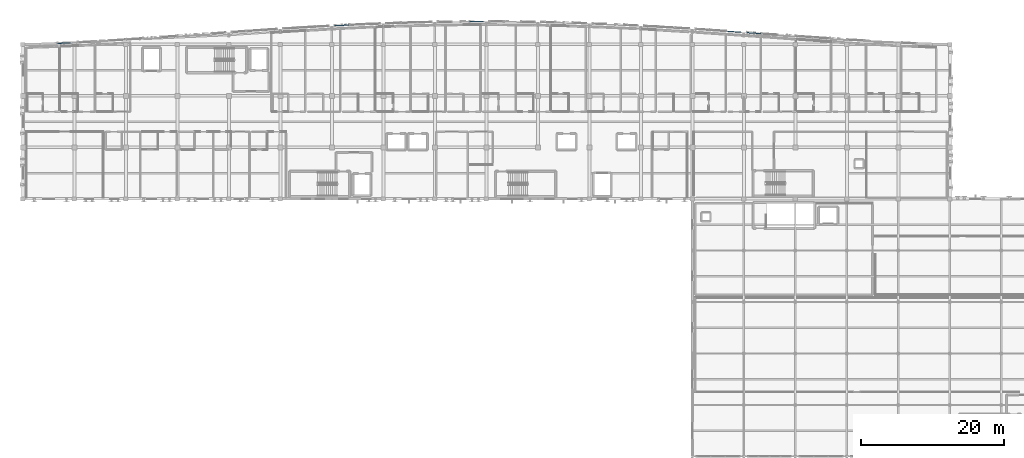
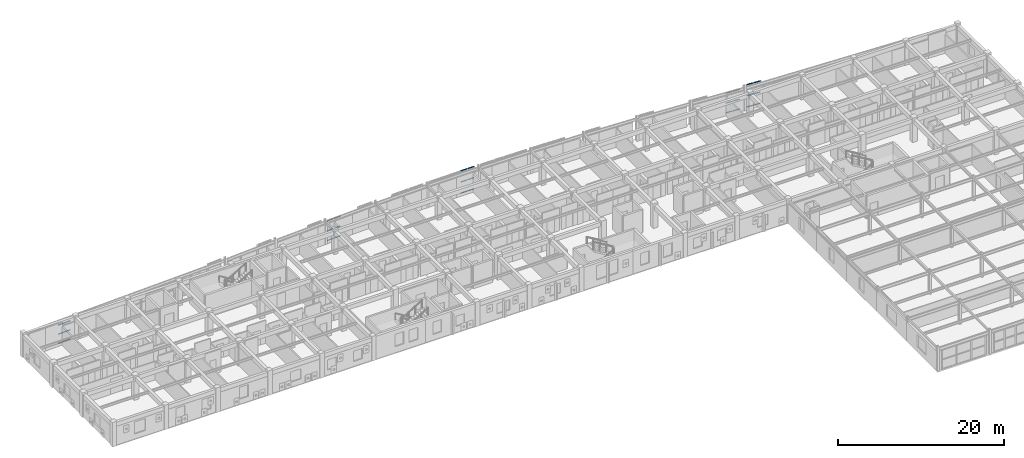
# One storey, part 49 of 73: 30 members, 5 elements without a shape of their own.
"""IFC4 building model written with IfcOpenShell, lengths in metres."""

from ifc_helpers import new_model, si_unit, direction, frame, origin, origin_2d, place, context, subcontext, project, spatial, hollow_rectangle, extrude, material, layer, layer_set, material_profile, profile_set, type_object, element, aggregate, save


model = new_model("IFC4")

# Units and contexts
model_context = context("Model", 3, precision=1e-05, world=origin(), true_north=direction((0.0, 1.0)))
body_context = subcontext(model_context, "Body", "Model", "MODEL_VIEW")
ifc_project = project(units=[si_unit("LENGTHUNIT", "METRE"), si_unit("AREAUNIT", "SQUARE_METRE"), si_unit("VOLUMEUNIT", "CUBIC_METRE"), si_unit("PLANEANGLEUNIT", "RADIAN"), si_unit("MASSUNIT", "GRAM", prefix="KILO")], contexts=[model_context])

# Site, building, storey
site_placement = place(None, origin())
site = spatial("IfcSite", under=ifc_project, at=site_placement, CompositionType="ELEMENT")
building_placement = place(site_placement, origin())
building = spatial("IfcBuilding", under=site, at=building_placement, Name="Carrowvane Square Congress Hotel", CompositionType="ELEMENT")
storey_placement = place(building_placement, frame((0.0, 0.0, 19.199951171875)))
storey = spatial("IfcBuildingStorey", under=building, at=storey_placement, Name="L04", CompositionType="ELEMENT", Elevation=19.199951171875)

# Curtain wall, members
ifc_material_1 = material(Name="Anodised aluminium", Category="aluminium")
ifc_layer_1 = layer(ifc_material_1, 0.23388671875)
ifc_layer_set_1 = layer_set([ifc_layer_1], Name="Anodised aluminium")
curtain_wall_type_1 = type_object("IfcCurtainWallType", Name="CW-SYS-7", PredefinedType="NOTDEFINED", material=ifc_layer_set_1)
curtain_wall_1_placement = place(storey_placement, origin())
curtain_wall_1 = element("IfcCurtainWall", 1, at=curtain_wall_1_placement, inside=storey, type_object=curtain_wall_type_1, Name="L04 unitised curtain wall 286", PredefinedType="NOTDEFINED")
ifc_material_2 = material(Name="Anodised aluminium", Category="aluminium")
ifc_material_profile_1 = material_profile(ifc_material_2, hollow_rectangle(XDim=0.06005859375, YDim=0.1298828125, WallThickness=0.00390625, at=origin_2d()), Name="CW-TR 60x130x4")
ifc_profile_set_1 = profile_set([ifc_material_profile_1], Name="Anodised aluminium")
member_type_1 = type_object("IfcMemberType", Name="CW-TRN-1", PredefinedType="USERDEFINED", material=ifc_profile_set_1)
member_1_placement = place(storey_placement, frame((131.659912109375, 115.24951171875, 0.030029296875), z_axis=(0.997561151835, -0.069797910781, 0.0), x_axis=(0.069797910781, 0.997561151835, 0.0)))
member_1 = element("IfcMember", 2, at=member_1_placement, type_object=member_type_1, Name="CW-7 transom 1.1", ObjectType="TRANSOM", PredefinedType="USERDEFINED", context=body_context, shape_type="SweptSolid", body=[
    extrude(hollow_rectangle(XDim=0.06005859375, YDim=0.1298828125, WallThickness=0.00390625, at=origin_2d()), origin(), (0.0, 0.0, 1.0), 0.933837890625),
])
member_2_placement = place(storey_placement, frame((131.659912109375, 115.24951171875, 1.462890625), z_axis=(0.997561151835, -0.069797910781, 0.0), x_axis=(0.069797910781, 0.997561151835, 0.0)))
member_2 = element("IfcMember", 3, at=member_2_placement, type_object=member_type_1, Name="CW-7 transom 1.2", ObjectType="TRANSOM", PredefinedType="USERDEFINED", context=body_context, shape_type="SweptSolid", body=[
    extrude(hollow_rectangle(XDim=0.06005859375, YDim=0.1298828125, WallThickness=0.00390625, at=origin_2d()), origin(), (0.0, 0.0, 1.0), 0.933837890625),
])
member_3_placement = place(storey_placement, frame((131.659912109375, 115.24951171875, 2.895751953125), z_axis=(0.997561151835, -0.069797910781, 0.0), x_axis=(0.069797910781, 0.997561151835, 0.0)))
member_3 = element("IfcMember", 4, at=member_3_placement, type_object=member_type_1, Name="CW-7 transom 1.3", ObjectType="TRANSOM", PredefinedType="USERDEFINED", context=body_context, shape_type="SweptSolid", body=[
    extrude(hollow_rectangle(XDim=0.06005859375, YDim=0.1298828125, WallThickness=0.00390625, at=origin_2d()), origin(), (0.0, 0.0, 1.0), 0.933837890625),
])
member_4_placement = place(storey_placement, frame((132.6513671875, 115.18017578125, 0.030029296875), z_axis=(0.997578055403, -0.069555901111, 0.0), x_axis=(0.069555901111, 0.997578055403, 0.0)))
member_4 = element("IfcMember", 5, at=member_4_placement, type_object=member_type_1, Name="CW-7 transom 2.1", ObjectType="TRANSOM", PredefinedType="USERDEFINED", context=body_context, shape_type="SweptSolid", body=[
    extrude(hollow_rectangle(XDim=0.06005859375, YDim=0.1298828125, WallThickness=0.00390625, at=origin_2d()), origin(), (0.0, 0.0, 1.0), 0.93359375),
])
member_5_placement = place(storey_placement, frame((132.6513671875, 115.18017578125, 1.462890625), z_axis=(0.997578055403, -0.069555901111, 0.0), x_axis=(0.069555901111, 0.997578055403, 0.0)))
member_5 = element("IfcMember", 6, at=member_5_placement, type_object=member_type_1, Name="CW-7 transom 2.2", ObjectType="TRANSOM", PredefinedType="USERDEFINED", context=body_context, shape_type="SweptSolid", body=[
    extrude(hollow_rectangle(XDim=0.06005859375, YDim=0.1298828125, WallThickness=0.00390625, at=origin_2d()), origin(), (0.0, 0.0, 1.0), 0.93359375),
])
member_6_placement = place(storey_placement, frame((132.6513671875, 115.18017578125, 2.895751953125), z_axis=(0.997578055403, -0.069555901111, 0.0), x_axis=(0.069555901111, 0.997578055403, 0.0)))
member_6 = element("IfcMember", 7, at=member_6_placement, type_object=member_type_1, Name="CW-7 transom 2.3", ObjectType="TRANSOM", PredefinedType="USERDEFINED", context=body_context, shape_type="SweptSolid", body=[
    extrude(hollow_rectangle(XDim=0.06005859375, YDim=0.1298828125, WallThickness=0.00390625, at=origin_2d()), origin(), (0.0, 0.0, 1.0), 0.93359375),
])
aggregate(curtain_wall_1, [member_1, member_2, member_3, member_4, member_5, member_6])

ifc_material_3 = material(Name="Anodised aluminium", Category="aluminium")
ifc_layer_2 = layer(ifc_material_3, 0.24609375)
ifc_layer_set_2 = layer_set([ifc_layer_2], Name="Anodised aluminium")
curtain_wall_type_2 = type_object("IfcCurtainWallType", Name="CW-SYS-8", PredefinedType="NOTDEFINED", material=ifc_layer_set_2)
curtain_wall_2_placement = place(storey_placement, origin())
curtain_wall_2 = element("IfcCurtainWall", 8, at=curtain_wall_2_placement, inside=storey, type_object=curtain_wall_type_2, Name="L04 unitised curtain wall 247", PredefinedType="NOTDEFINED")
ifc_material_4 = material(Name="Anodised aluminium", Category="aluminium")
ifc_material_profile_2 = material_profile(ifc_material_4, hollow_rectangle(XDim=0.070068359375, YDim=0.14990234375, WallThickness=0.0048828125, at=origin_2d()), Name="CW-TR 70x150x5")
ifc_profile_set_2 = profile_set([ifc_material_profile_2], Name="Anodised aluminium")
member_type_2 = type_object("IfcMemberType", Name="CW-TRN-2", PredefinedType="USERDEFINED", material=ifc_profile_set_2)
member_7_placement = place(storey_placement, frame((38.06982421875, 113.544189453125, 0.03515625), z_axis=(0.998921323218, 0.046434793217, 0.0), x_axis=(-0.046434793217, 0.998921323218, 0.0)))
member_7 = element("IfcMember", 9, at=member_7_placement, type_object=member_type_2, Name="CW-8 transom 1.1", ObjectType="TRANSOM", PredefinedType="USERDEFINED", context=body_context, shape_type="SweptSolid", body=[
    extrude(hollow_rectangle(XDim=0.070068359375, YDim=0.14990234375, WallThickness=0.0048828125, at=origin_2d()), origin(), (0.0, 0.0, 1.0), 0.851806640625),
])
member_8_placement = place(storey_placement, frame((38.06982421875, 113.544189453125, 1.367431640625), z_axis=(0.998921323218, 0.046434793217, 0.0), x_axis=(-0.046434793217, 0.998921323218, 0.0)))
member_8 = element("IfcMember", 10, at=member_8_placement, type_object=member_type_2, Name="CW-8 transom 1.2", ObjectType="TRANSOM", PredefinedType="USERDEFINED", context=body_context, shape_type="SweptSolid", body=[
    extrude(hollow_rectangle(XDim=0.070068359375, YDim=0.14990234375, WallThickness=0.0048828125, at=origin_2d()), origin(), (0.0, 0.0, 1.0), 0.851806640625),
])
member_9_placement = place(storey_placement, frame((38.06982421875, 113.544189453125, 2.699951171875), z_axis=(0.998921323218, 0.046434793217, 0.0), x_axis=(-0.046434793217, 0.998921323218, 0.0)))
member_9 = element("IfcMember", 11, at=member_9_placement, type_object=member_type_2, Name="CW-8 transom 1.3", ObjectType="TRANSOM", PredefinedType="USERDEFINED", context=body_context, shape_type="SweptSolid", body=[
    extrude(hollow_rectangle(XDim=0.070068359375, YDim=0.14990234375, WallThickness=0.0048828125, at=origin_2d()), origin(), (0.0, 0.0, 1.0), 0.851806640625),
])
member_10_placement = place(storey_placement, frame((38.99072265625, 113.587158203125, 0.03515625), z_axis=(0.998921323218, 0.046434793217, 0.0), x_axis=(-0.046434793217, 0.998921323218, 0.0)))
member_10 = element("IfcMember", 12, at=member_10_placement, type_object=member_type_2, Name="CW-8 transom 2.1", ObjectType="TRANSOM", PredefinedType="USERDEFINED", context=body_context, shape_type="SweptSolid", body=[
    extrude(hollow_rectangle(XDim=0.070068359375, YDim=0.14990234375, WallThickness=0.0048828125, at=origin_2d()), origin(), (0.0, 0.0, 1.0), 0.851806640625),
])
member_11_placement = place(storey_placement, frame((38.99072265625, 113.587158203125, 1.367431640625), z_axis=(0.998921323218, 0.046434793217, 0.0), x_axis=(-0.046434793217, 0.998921323218, 0.0)))
member_11 = element("IfcMember", 13, at=member_11_placement, type_object=member_type_2, Name="CW-8 transom 2.2", ObjectType="TRANSOM", PredefinedType="USERDEFINED", context=body_context, shape_type="SweptSolid", body=[
    extrude(hollow_rectangle(XDim=0.070068359375, YDim=0.14990234375, WallThickness=0.0048828125, at=origin_2d()), origin(), (0.0, 0.0, 1.0), 0.851806640625),
])
member_12_placement = place(storey_placement, frame((38.99072265625, 113.587158203125, 2.699951171875), z_axis=(0.998921323218, 0.046434793217, 0.0), x_axis=(-0.046434793217, 0.998921323218, 0.0)))
member_12 = element("IfcMember", 14, at=member_12_placement, type_object=member_type_2, Name="CW-8 transom 2.3", ObjectType="TRANSOM", PredefinedType="USERDEFINED", context=body_context, shape_type="SweptSolid", body=[
    extrude(hollow_rectangle(XDim=0.070068359375, YDim=0.14990234375, WallThickness=0.0048828125, at=origin_2d()), origin(), (0.0, 0.0, 1.0), 0.851806640625),
])
aggregate(curtain_wall_2, [member_7, member_8, member_9, member_10, member_11, member_12])

curtain_wall_3_placement = place(storey_placement, origin())
curtain_wall_3 = element("IfcCurtainWall", 15, at=curtain_wall_3_placement, inside=storey, type_object=curtain_wall_type_2, Name="L04 unitised curtain wall 263", PredefinedType="NOTDEFINED")
member_13_placement = place(storey_placement, frame((76.83447265625, 116.01953125, 0.03515625), z_axis=(0.998738311193, 0.050217384997, 0.0), x_axis=(-0.050217384997, 0.998738311193, 0.0)))
member_13 = element("IfcMember", 16, at=member_13_placement, type_object=member_type_2, Name="CW-8 transom 1.1", ObjectType="TRANSOM", PredefinedType="USERDEFINED", context=body_context, shape_type="SweptSolid", body=[
    extrude(hollow_rectangle(XDim=0.070068359375, YDim=0.14990234375, WallThickness=0.0048828125, at=origin_2d()), origin(), (0.0, 0.0, 1.0), 0.9140625),
])
member_14_placement = place(storey_placement, frame((76.83447265625, 116.01953125, 1.462890625), z_axis=(0.998738311193, 0.050217384997, 0.0), x_axis=(-0.050217384997, 0.998738311193, 0.0)))
member_14 = element("IfcMember", 17, at=member_14_placement, type_object=member_type_2, Name="CW-8 transom 1.2", ObjectType="TRANSOM", PredefinedType="USERDEFINED", context=body_context, shape_type="SweptSolid", body=[
    extrude(hollow_rectangle(XDim=0.070068359375, YDim=0.14990234375, WallThickness=0.0048828125, at=origin_2d()), origin(), (0.0, 0.0, 1.0), 0.9140625),
])
member_15_placement = place(storey_placement, frame((76.83447265625, 116.01953125, 2.890625), z_axis=(0.998738311193, 0.050217384997, 0.0), x_axis=(-0.050217384997, 0.998738311193, 0.0)))
member_15 = element("IfcMember", 18, at=member_15_placement, type_object=member_type_2, Name="CW-8 transom 1.3", ObjectType="TRANSOM", PredefinedType="USERDEFINED", context=body_context, shape_type="SweptSolid", body=[
    extrude(hollow_rectangle(XDim=0.070068359375, YDim=0.14990234375, WallThickness=0.0048828125, at=origin_2d()), origin(), (0.0, 0.0, 1.0), 0.9140625),
])
member_16_placement = place(storey_placement, frame((77.817138671875, 116.069091796875, 0.03515625), z_axis=(0.998738311193, 0.050217384997, 0.0), x_axis=(-0.050217384997, 0.998738311193, 0.0)))
member_16 = element("IfcMember", 19, at=member_16_placement, type_object=member_type_2, Name="CW-8 transom 2.1", ObjectType="TRANSOM", PredefinedType="USERDEFINED", context=body_context, shape_type="SweptSolid", body=[
    extrude(hollow_rectangle(XDim=0.070068359375, YDim=0.14990234375, WallThickness=0.0048828125, at=origin_2d()), origin(), (0.0, 0.0, 1.0), 0.9140625),
])
member_17_placement = place(storey_placement, frame((77.817138671875, 116.069091796875, 1.462890625), z_axis=(0.998738311193, 0.050217384997, 0.0), x_axis=(-0.050217384997, 0.998738311193, 0.0)))
member_17 = element("IfcMember", 20, at=member_17_placement, type_object=member_type_2, Name="CW-8 transom 2.2", ObjectType="TRANSOM", PredefinedType="USERDEFINED", context=body_context, shape_type="SweptSolid", body=[
    extrude(hollow_rectangle(XDim=0.070068359375, YDim=0.14990234375, WallThickness=0.0048828125, at=origin_2d()), origin(), (0.0, 0.0, 1.0), 0.9140625),
])
member_18_placement = place(storey_placement, frame((77.817138671875, 116.069091796875, 2.890625), z_axis=(0.998738311193, 0.050217384997, 0.0), x_axis=(-0.050217384997, 0.998738311193, 0.0)))
member_18 = element("IfcMember", 21, at=member_18_placement, type_object=member_type_2, Name="CW-8 transom 2.3", ObjectType="TRANSOM", PredefinedType="USERDEFINED", context=body_context, shape_type="SweptSolid", body=[
    extrude(hollow_rectangle(XDim=0.070068359375, YDim=0.14990234375, WallThickness=0.0048828125, at=origin_2d()), origin(), (0.0, 0.0, 1.0), 0.9140625),
])
aggregate(curtain_wall_3, [member_13, member_14, member_15, member_16, member_17, member_18])

curtain_wall_4_placement = place(storey_placement, origin())
curtain_wall_4 = element("IfcCurtainWall", 22, at=curtain_wall_4_placement, inside=storey, type_object=curtain_wall_type_2, Name="L04 unitised curtain wall 271", PredefinedType="NOTDEFINED")
member_19_placement = place(storey_placement, frame((95.669921875, 116.59228515625, 0.03515625), z_axis=(0.999994732189, 0.003245857935, 0.0), x_axis=(-0.003245857935, 0.999994732189, 0.0)))
member_19 = element("IfcMember", 23, at=member_19_placement, type_object=member_type_2, Name="CW-8 transom 1.1", ObjectType="TRANSOM", PredefinedType="USERDEFINED", context=body_context, shape_type="SweptSolid", body=[
    extrude(hollow_rectangle(XDim=0.070068359375, YDim=0.14990234375, WallThickness=0.0048828125, at=origin_2d()), origin(), (0.0, 0.0, 1.0), 0.902587890625),
])
member_20_placement = place(storey_placement, frame((95.669921875, 116.59228515625, 1.675048828125), z_axis=(0.999994732189, 0.003245857935, 0.0), x_axis=(-0.003245857935, 0.999994732189, 0.0)))
member_20 = element("IfcMember", 24, at=member_20_placement, type_object=member_type_2, Name="CW-8 transom 1.2", ObjectType="TRANSOM", PredefinedType="USERDEFINED", context=body_context, shape_type="SweptSolid", body=[
    extrude(hollow_rectangle(XDim=0.070068359375, YDim=0.14990234375, WallThickness=0.0048828125, at=origin_2d()), origin(), (0.0, 0.0, 1.0), 0.902587890625),
])
member_21_placement = place(storey_placement, frame((95.669921875, 116.59228515625, 3.31494140625), z_axis=(0.999994732189, 0.003245857935, 0.0), x_axis=(-0.003245857935, 0.999994732189, 0.0)))
member_21 = element("IfcMember", 25, at=member_21_placement, type_object=member_type_2, Name="CW-8 transom 1.3", ObjectType="TRANSOM", PredefinedType="USERDEFINED", context=body_context, shape_type="SweptSolid", body=[
    extrude(hollow_rectangle(XDim=0.070068359375, YDim=0.14990234375, WallThickness=0.0048828125, at=origin_2d()), origin(), (0.0, 0.0, 1.0), 0.902587890625),
])
member_22_placement = place(storey_placement, frame((96.642578125, 116.595458984375, 0.03515625), z_axis=(0.999993817647, 0.003516342881, 0.0), x_axis=(-0.003516342881, 0.999993817647, 0.0)))
member_22 = element("IfcMember", 26, at=member_22_placement, type_object=member_type_2, Name="CW-8 transom 2.1", ObjectType="TRANSOM", PredefinedType="USERDEFINED", context=body_context, shape_type="SweptSolid", body=[
    extrude(hollow_rectangle(XDim=0.070068359375, YDim=0.14990234375, WallThickness=0.0048828125, at=origin_2d()), origin(), (0.0, 0.0, 1.0), 0.902587890625),
])
member_23_placement = place(storey_placement, frame((96.642578125, 116.595458984375, 1.675048828125), z_axis=(0.999993817647, 0.003516342881, 0.0), x_axis=(-0.003516342881, 0.999993817647, 0.0)))
member_23 = element("IfcMember", 27, at=member_23_placement, type_object=member_type_2, Name="CW-8 transom 2.2", ObjectType="TRANSOM", PredefinedType="USERDEFINED", context=body_context, shape_type="SweptSolid", body=[
    extrude(hollow_rectangle(XDim=0.070068359375, YDim=0.14990234375, WallThickness=0.0048828125, at=origin_2d()), origin(), (0.0, 0.0, 1.0), 0.902587890625),
])
member_24_placement = place(storey_placement, frame((96.642578125, 116.595458984375, 3.31494140625), z_axis=(0.999993817647, 0.003516342881, 0.0), x_axis=(-0.003516342881, 0.999993817647, 0.0)))
member_24 = element("IfcMember", 28, at=member_24_placement, type_object=member_type_2, Name="CW-8 transom 2.3", ObjectType="TRANSOM", PredefinedType="USERDEFINED", context=body_context, shape_type="SweptSolid", body=[
    extrude(hollow_rectangle(XDim=0.070068359375, YDim=0.14990234375, WallThickness=0.0048828125, at=origin_2d()), origin(), (0.0, 0.0, 1.0), 0.902587890625),
])
aggregate(curtain_wall_4, [member_19, member_20, member_21, member_22, member_23, member_24])

curtain_wall_5_placement = place(storey_placement, origin())
curtain_wall_5 = element("IfcCurtainWall", 29, at=curtain_wall_5_placement, inside=storey, type_object=curtain_wall_type_2, Name="L04 unitised curtain wall 287", PredefinedType="NOTDEFINED")
member_25_placement = place(storey_placement, frame((134.48046875, 115.0517578125, 0.03515625), z_axis=(0.997485024842, -0.070877536745, 0.0), x_axis=(0.070877536745, 0.997485024842, 0.0)))
member_25 = element("IfcMember", 30, at=member_25_placement, type_object=member_type_2, Name="CW-8 transom 1.1", ObjectType="TRANSOM", PredefinedType="USERDEFINED", context=body_context, shape_type="SweptSolid", body=[
    extrude(hollow_rectangle(XDim=0.070068359375, YDim=0.14990234375, WallThickness=0.0048828125, at=origin_2d()), origin(), (0.0, 0.0, 1.0), 0.89208984375),
])
member_26_placement = place(storey_placement, frame((134.48046875, 115.0517578125, 1.675048828125), z_axis=(0.997485024842, -0.070877536745, 0.0), x_axis=(0.070877536745, 0.997485024842, 0.0)))
member_26 = element("IfcMember", 31, at=member_26_placement, type_object=member_type_2, Name="CW-8 transom 1.2", ObjectType="TRANSOM", PredefinedType="USERDEFINED", context=body_context, shape_type="SweptSolid", body=[
    extrude(hollow_rectangle(XDim=0.070068359375, YDim=0.14990234375, WallThickness=0.0048828125, at=origin_2d()), origin(), (0.0, 0.0, 1.0), 0.89208984375),
])
member_27_placement = place(storey_placement, frame((134.48046875, 115.0517578125, 3.31494140625), z_axis=(0.997485024842, -0.070877536745, 0.0), x_axis=(0.070877536745, 0.997485024842, 0.0)))
member_27 = element("IfcMember", 32, at=member_27_placement, type_object=member_type_2, Name="CW-8 transom 1.3", ObjectType="TRANSOM", PredefinedType="USERDEFINED", context=body_context, shape_type="SweptSolid", body=[
    extrude(hollow_rectangle(XDim=0.070068359375, YDim=0.14990234375, WallThickness=0.0048828125, at=origin_2d()), origin(), (0.0, 0.0, 1.0), 0.89208984375),
])
member_28_placement = place(storey_placement, frame((135.440185546875, 114.9833984375, 0.03515625), z_axis=(0.997486399037, -0.070858194556, 0.0), x_axis=(0.070858194556, 0.997486399037, 0.0)))
member_28 = element("IfcMember", 33, at=member_28_placement, type_object=member_type_2, Name="CW-8 transom 2.1", ObjectType="TRANSOM", PredefinedType="USERDEFINED", context=body_context, shape_type="SweptSolid", body=[
    extrude(hollow_rectangle(XDim=0.070068359375, YDim=0.14990234375, WallThickness=0.0048828125, at=origin_2d()), origin(), (0.0, 0.0, 1.0), 0.892333984375),
])
member_29_placement = place(storey_placement, frame((135.440185546875, 114.9833984375, 1.675048828125), z_axis=(0.997486399037, -0.070858194556, 0.0), x_axis=(0.070858194556, 0.997486399037, 0.0)))
member_29 = element("IfcMember", 34, at=member_29_placement, type_object=member_type_2, Name="CW-8 transom 2.2", ObjectType="TRANSOM", PredefinedType="USERDEFINED", context=body_context, shape_type="SweptSolid", body=[
    extrude(hollow_rectangle(XDim=0.070068359375, YDim=0.14990234375, WallThickness=0.0048828125, at=origin_2d()), origin(), (0.0, 0.0, 1.0), 0.892333984375),
])
member_30_placement = place(storey_placement, frame((135.440185546875, 114.9833984375, 3.31494140625), z_axis=(0.997486399037, -0.070858194556, 0.0), x_axis=(0.070858194556, 0.997486399037, 0.0)))
member_30 = element("IfcMember", 35, at=member_30_placement, type_object=member_type_2, Name="CW-8 transom 2.3", ObjectType="TRANSOM", PredefinedType="USERDEFINED", context=body_context, shape_type="SweptSolid", body=[
    extrude(hollow_rectangle(XDim=0.070068359375, YDim=0.14990234375, WallThickness=0.0048828125, at=origin_2d()), origin(), (0.0, 0.0, 1.0), 0.892333984375),
])
aggregate(curtain_wall_5, [member_25, member_26, member_27, member_28, member_29, member_30])

save(model, "model.ifc")
